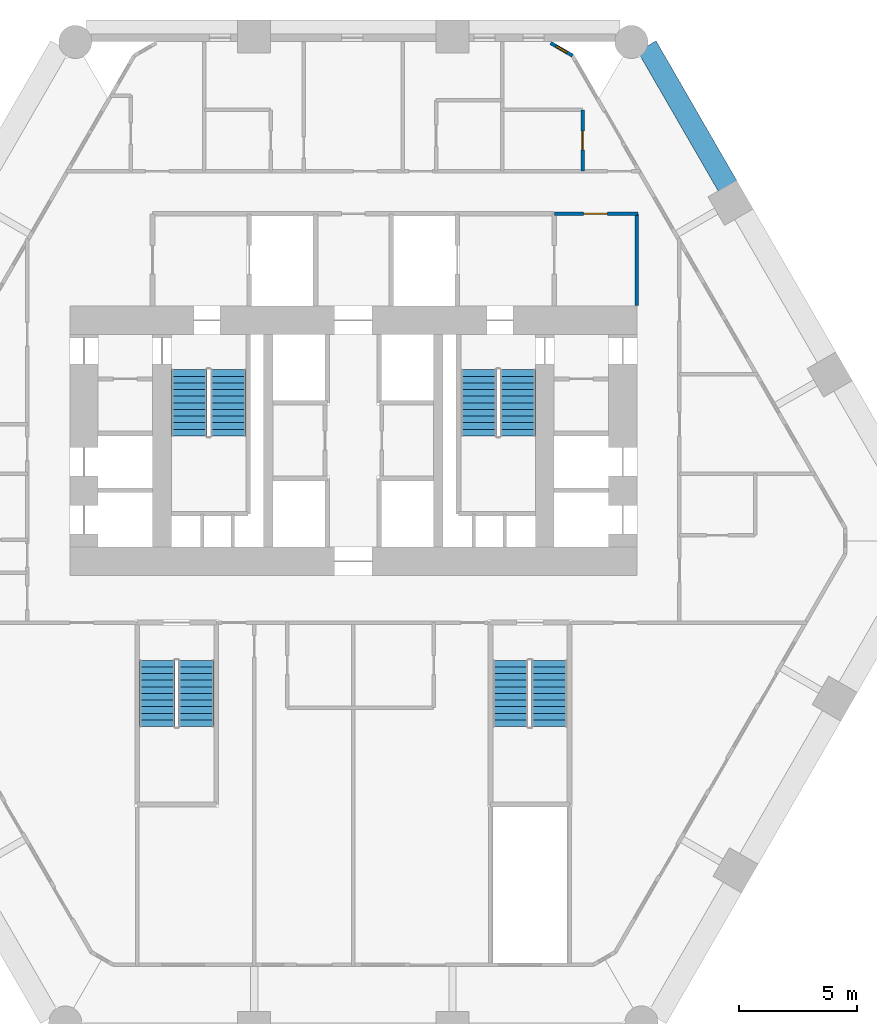
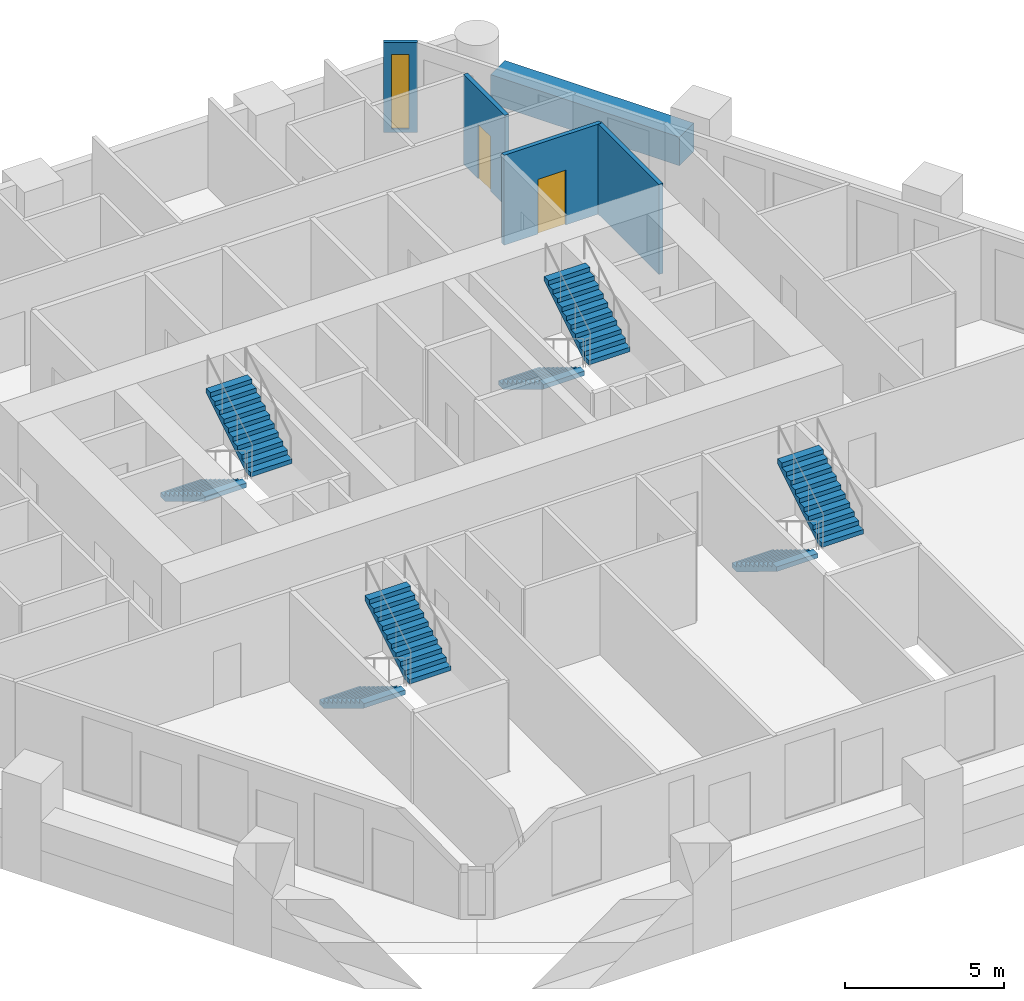
# One storey, part 7 of 8: 8 stair flights, 5 walls, 2 doors, 1 window, 3 openings, 4 elements without a shape of their own.
"""IFC4 building model written with IfcOpenShell, lengths in metres."""

import ifcopenshell
import ifcopenshell.guid

model = None  # the IFC model being written
_history = None  # IfcOwnerHistory: only IFC2X3 demands one
_inside = {}  # id of a spatial element -> (the spatial element, [elements in it])
_under = {}  # id of a project, library or spatial element -> (it, [spatial elements below it])
_declared = {}  # id of a project -> (the project, [libraries it declares])
_typed = {}  # id of a type object -> (the type object, [elements of that type])
_made_of = {}  # id of a material, layer set ... -> (it, [elements and type objects made of it])


def new_model(schema):
    """Start an empty IFC model of exactly this schema.

    Asked for "IFC4X3", IfcOpenShell would pick the latest addendum, in which some entities
    have other attributes; the version numbers below select the first issue.
    IFC2X3 requires an IfcOwnerHistory on every rooted entity: one is made here for all.
    """
    global model, _history
    if schema == "IFC4X3":
        model = ifcopenshell.file(schema_version=(4, 3, 0, 0))
    else:
        model = ifcopenshell.file(schema=schema)
    _inside.clear()
    _under.clear()
    _declared.clear()
    _typed.clear()
    _made_of.clear()
    _history = None
    if model.schema == "IFC2X3":
        org = make("IfcOrganization", Name="unknown")
        user = make(
            "IfcPersonAndOrganization",
            ThePerson=make("IfcPerson", FamilyName="unknown"),
            TheOrganization=org,
        )
        app = make(
            "IfcApplication",
            ApplicationDeveloper=org,
            Version="unknown",
            ApplicationFullName="unknown",
            ApplicationIdentifier="unknown",
        )
        _history = make(
            "IfcOwnerHistory",
            OwningUser=user,
            OwningApplication=app,
            ChangeAction="ADDED",
            CreationDate=0,
        )
    return model


def make(cls, **values):
    """One entity of the class cls with the attributes given. An attribute that is None is left unset."""
    return model.create_entity(
        cls, **{name: value for name, value in values.items() if value is not None}
    )


def rooted(cls, **values):
    """An entity with a GlobalId (a new one), such as an element, a storey or a relation."""
    return make(cls, GlobalId=ifcopenshell.guid.new(), OwnerHistory=_history, **values)


def si_unit(unit_type, name, prefix=None):
    """IfcSIUnit, for example si_unit("LENGTHUNIT", "METRE", prefix="MILLI")."""
    return make("IfcSIUnit", UnitType=unit_type, Prefix=prefix, Name=name)


def assignment(units):
    """IfcUnitAssignment: the units of a project."""
    return None if units is None else make("IfcUnitAssignment", Units=units)


def point(xyz):
    """IfcCartesianPoint."""
    return None if xyz is None else make("IfcCartesianPoint", Coordinates=xyz)


def direction(xyz):
    """IfcDirection."""
    return None if xyz is None else make("IfcDirection", DirectionRatios=xyz)


def frame(location, z_axis=None, x_axis=None):
    """IfcAxis2Placement3D, a coordinate frame: its origin and axes. An axis left out is left unset."""
    return make(
        "IfcAxis2Placement3D",
        Location=point(location),
        Axis=direction(z_axis),
        RefDirection=direction(x_axis),
    )


def frame_2d(location, x_axis=None):
    """IfcAxis2Placement2D, a coordinate frame in the plane: its origin and x axis."""
    return make(
        "IfcAxis2Placement2D", Location=point(location), RefDirection=direction(x_axis)
    )


def origin():
    """The frame at (0, 0, 0) with its axes left unset."""
    return frame((0.0, 0.0, 0.0))


def place(relative_to, where):
    """IfcLocalPlacement: puts the frame where relative to a parent placement (None: the world)."""
    return make(
        "IfcLocalPlacement", PlacementRelTo=relative_to, RelativePlacement=where
    )


def context(
    kind, dimensions, precision=None, world=None, true_north=None, identifier=None
):
    """IfcGeometricRepresentationContext, for example the 3D "Model" context."""
    return make(
        "IfcGeometricRepresentationContext",
        ContextIdentifier=identifier,
        ContextType=kind,
        CoordinateSpaceDimension=dimensions,
        Precision=precision,
        WorldCoordinateSystem=world,
        TrueNorth=true_north,
    )


def subcontext(parent, identifier, kind, view, scale=None):
    """IfcGeometricRepresentationSubContext, for example "Body" below "Model"."""
    return make(
        "IfcGeometricRepresentationSubContext",
        ContextIdentifier=identifier,
        ContextType=kind,
        ParentContext=parent,
        TargetScale=scale,
        TargetView=view,
    )


def project(units=None, contexts=None):
    """IfcProject with its units and contexts."""
    return rooted(
        "IfcProject",
        Name="project",
        RepresentationContexts=contexts,
        UnitsInContext=assignment(units),
    )


def spatial(cls, under=None, at=None, **own):
    """A site, building, storey or space (cls), placed at a placement, below another one or the project."""
    s = rooted(cls, ObjectPlacement=at, **own)
    if under is not None:
        _under.setdefault(under.id(), (under, []))[1].append(s)
    return s


def polyline(points):
    """IfcPolyline through the points."""
    return make("IfcPolyline", Points=[point(p) for p in points])


def profile(cls, at=None, kind="AREA", **sizes):
    """A parametric profile (cls). Its sizes go by their IFC names, for example OverallWidth=200.0."""
    return make(cls, ProfileType=kind, Position=at, **sizes)


def rectangle(**sizes):
    """IfcRectangleProfileDef."""
    return profile("IfcRectangleProfileDef", **sizes)


def outline(outer, holes=None, kind="AREA"):
    """IfcArbitraryClosedProfileDef: a profile drawn as a closed curve; with holes, ...WithVoids."""
    if holes is None:
        return make("IfcArbitraryClosedProfileDef", ProfileType=kind, OuterCurve=outer)
    return make(
        "IfcArbitraryProfileDefWithVoids",
        ProfileType=kind,
        OuterCurve=outer,
        InnerCurves=holes,
    )


def extrude(swept, where, along, depth):
    """IfcExtrudedAreaSolid: the profile swept, set in the frame where, extruded along a direction by depth."""
    return make(
        "IfcExtrudedAreaSolid",
        SweptArea=swept,
        Position=where,
        ExtrudedDirection=direction(along),
        Depth=depth,
    )


def shape(context_of_items, identifier, shape_type, items):
    """IfcShapeRepresentation: the items that make up one representation, for example the "Body"."""
    return make(
        "IfcShapeRepresentation",
        ContextOfItems=context_of_items,
        RepresentationIdentifier=identifier,
        RepresentationType=shape_type,
        Items=items,
    )


def material(Name=None, Category=None):
    """IfcMaterial."""
    return make("IfcMaterial", Name=Name, Category=Category)


def layer(
    of_material, thickness, ventilated=None, Name=None, Category=None, Priority=None
):
    """IfcMaterialLayer: one layer of a wall or slab, of a material (None: an air gap)."""
    return make(
        "IfcMaterialLayer",
        Material=of_material,
        LayerThickness=thickness,
        IsVentilated=ventilated,
        Name=Name,
        Category=Category,
        Priority=Priority,
    )


def layer_set(layers, Name=None):
    """IfcMaterialLayerSet."""
    return make("IfcMaterialLayerSet", MaterialLayers=layers, LayerSetName=Name)


def made_of(thing, what):
    """Note that an element or type object is made of a material, layer set ...; save() writes the relation."""
    if what is not None:
        _made_of.setdefault(what.id(), (what, []))[1].append(thing)
    return thing


def type_object(cls, material=None, **own):
    """A type object (cls), such as IfcWallType, which elements share."""
    return made_of(rooted(cls, **own), material)


def element(
    cls,
    number,
    at=None,
    inside=None,
    cuts=None,
    type_object=None,
    material=None,
    context=None,
    identifier="Body",
    shape_type=None,
    held_by="IfcProductDefinitionShape",
    body=None,
    shapes=None,
    **own,
):
    """One element of the class cls, such as IfcWall. Its Tag is "e" and its number.

    at: its placement. inside: the storey or other place that contains it. cuts: it is an
    opening in that element (IfcRelVoidsElement). A single representation is given by context,
    identifier, shape_type and body (its items); several are given by shapes. held_by: the class
    of the entity that holds the representations. save() writes the other relations.
    """
    e = rooted(cls, Tag="e%d" % number, ObjectPlacement=at, **own)
    if body is not None:
        shapes = [shape(context, identifier, shape_type, body)]
    if shapes is not None:
        e.Representation = make(held_by, Representations=shapes)
    if inside is not None:
        _inside.setdefault(inside.id(), (inside, []))[1].append(e)
    if cuts is not None:
        rooted(
            "IfcRelVoidsElement", RelatingBuildingElement=cuts, RelatedOpeningElement=e
        )
    if type_object is not None:
        _typed.setdefault(type_object.id(), (type_object, []))[1].append(e)
    return made_of(e, material)


def fill(opening, filler):
    """IfcRelFillsElement: the door or window that sits in an opening."""
    return rooted(
        "IfcRelFillsElement",
        RelatingOpeningElement=opening,
        RelatedBuildingElement=filler,
    )


def aggregate(whole, parts):
    """IfcRelAggregates: a whole, such as a stair, and the parts it consists of."""
    return rooted("IfcRelAggregates", RelatingObject=whole, RelatedObjects=parts)


def save(model, path):
    """Write the relations noted so far, then the file.

    IfcRelAggregates (storeys below a building ...), IfcRelContainedInSpatialStructure (elements
    in a storey), IfcRelDefinesByType, IfcRelAssociatesMaterial and IfcRelDeclares: one each for
    every whole, place, type object, material and project.
    """
    for whole, parts in _under.values():
        aggregate(whole, parts)
    for where, things in _inside.values():
        rooted(
            "IfcRelContainedInSpatialStructure",
            RelatedElements=things,
            RelatingStructure=where,
        )
    for kind, things in _typed.values():
        rooted("IfcRelDefinesByType", RelatedObjects=things, RelatingType=kind)
    for what, things in _made_of.values():
        rooted("IfcRelAssociatesMaterial", RelatedObjects=things, RelatingMaterial=what)
    for by, libraries in _declared.values():
        rooted("IfcRelDeclares", RelatingContext=by, RelatedDefinitions=libraries)
    model.write(path)


model = new_model("IFC4")

# Units and contexts
model_context = context("Model", 3, precision=1e-05, world=origin(), true_north=direction((0.0, 1.0)))
body_context = subcontext(model_context, "Body", "Model", "MODEL_VIEW")
ifc_project = project(units=[si_unit("LENGTHUNIT", "METRE"), si_unit("AREAUNIT", "SQUARE_METRE"), si_unit("VOLUMEUNIT", "CUBIC_METRE"), si_unit("PLANEANGLEUNIT", "RADIAN"), si_unit("MASSUNIT", "GRAM", prefix="KILO")], contexts=[model_context])

# Site, building, storey
site_placement = place(None, origin())
site = spatial("IfcSite", under=ifc_project, at=site_placement, CompositionType="ELEMENT")
building_placement = place(site_placement, origin())
building = spatial("IfcBuilding", under=site, at=building_placement, Name="Ostrander Bayou Hotel Tower", CompositionType="ELEMENT")
storey_placement = place(building_placement, frame((0.0, 0.0, 43.0)))
storey = spatial("IfcBuildingStorey", under=building, at=storey_placement, Name="L10", CompositionType="ELEMENT", Elevation=43.0)

# Wall, opening, window
ifc_material_1 = material(Name="Aluminium framed insulated wall", Category="aluminium")
ifc_layer_1 = layer(ifc_material_1, 0.14990234375)
ifc_layer_set_1 = layer_set([ifc_layer_1], Name="GW1 glass-line wall 150 mm")
wall_type_1 = type_object("IfcWallType", Name="GW1 glass-line wall 150 mm", PredefinedType="SOLIDWALL", material=ifc_layer_set_1)
wall_1_placement = place(storey_placement, frame((9.27587890625, 20.29248046875, 0.0), z_axis=(0.0, 0.0, 1.0), x_axis=(-0.865990848561, 0.500059846627, 0.0)))
wall_1 = element("IfcWall", 1, at=wall_1_placement, inside=storey, type_object=wall_type_1, Name="GW1 L10 corner 6", PredefinedType="SOLIDWALL", context=body_context, shape_type="SweptSolid", body=[
    extrude(rectangle(XDim=1.064697265625, YDim=0.14990234375, at=frame_2d((0.5322265625, 0.0))), origin(), (0.0, 0.0, 1.0), 3.449951171875),
])
opening_1_placement = place(wall_1_placement, frame((0.257568359375, 0.0, 0.14990234375)))
opening_1 = element("IfcOpeningElement", 2, at=opening_1_placement, cuts=wall_1, Name="Opening W19", PredefinedType="OPENING", context=body_context, shape_type="SweptSolid", body=[
    extrude(rectangle(XDim=0.550048828125, YDim=2.85009765625, at=frame_2d((0.27490234375, 1.425048828125))), frame((0.0, 0.074951171875, 0.0), z_axis=(0.0, -1.0, 0.0), x_axis=(1.0, 0.0, 0.0)), (0.0, 0.0, 1.0), 0.14990234375),
])
ifc_material_2 = material(Name="Aluminium and clear glass", Category="aluminium")
window_type = type_object("IfcWindowType", Name="W19 corner window 550 mm", PartitioningType="SINGLE_PANEL", PredefinedType="WINDOW", material=ifc_material_2)
window_placement = place(opening_1_placement, origin())
window = element("IfcWindow", 3, at=window_placement, inside=storey, type_object=window_type, Name="W19 L10 corner 6", OverallHeight=2.85009765625, OverallWidth=0.550048828125, PartitioningType="SINGLE_PANEL", PredefinedType="WINDOW", context=body_context, shape_type="SweptSolid", body=[
    extrude(rectangle(XDim=0.550048828125, YDim=2.85009765625, at=frame_2d((0.27490234375, 1.425048828125))), frame((0.0, 0.030029296875, 0.0), z_axis=(0.0, -1.0, 0.0), x_axis=(1.0, 0.0, 0.0)), (0.0, 0.0, 1.0), 0.06005859375),
])
fill(opening_1, window)

# Wall
ifc_material_3 = material(Name="Concrete f'c 40 MPa", Category="concrete")
ifc_layer_2 = layer(ifc_material_3, 0.89990234375)
ifc_layer_set_2 = layer_set([ifc_layer_2], Name="PA1 stone-faced parapet 900 mm")
wall_type_2 = type_object("IfcWallType", Name="PA1 stone-faced parapet 900 mm", PredefinedType="PARAPET", material=ifc_layer_set_2)
wall_2_placement = place(storey_placement, frame((15.84423828125, 14.765869140625, 0.0), z_axis=(0.0, 0.0, 1.0), x_axis=(-0.499994135611, 0.866028789565, 0.0)))
element("IfcWall", 4, at=wall_2_placement, inside=storey, type_object=wall_type_2, Name="PA1 L10 NE-3", PredefinedType="PARAPET", context=body_context, shape_type="SweptSolid", body=[
    extrude(rectangle(XDim=6.84521484375, YDim=0.89990234375, at=frame_2d((3.422607421875, 0.0))), origin(), (0.0, 0.0, 1.0), 1.10009765625),
])

# Wall, opening, door
ifc_material_4 = material(Name="Gypsum board partition", Category="finish")
ifc_layer_3 = layer(ifc_material_4, 0.14990234375)
ifc_layer_set_3 = layer_set([ifc_layer_3], Name="PT8 service band wall 150 mm, 1 hour")
wall_type_3 = type_object("IfcWallType", Name="PT8 service band wall 150 mm, 1 hour", PredefinedType="PARTITIONING", material=ifc_layer_set_3)
wall_3_placement = place(storey_placement, frame((8.510009765625, 13.60009765625, 0.0), z_axis=(0.0, 0.0, 1.0), x_axis=(1.0, 0.0, 0.0)))
wall_3 = element("IfcWall", 5, at=wall_3_placement, inside=storey, type_object=wall_type_3, Name="gw:L10:012", PredefinedType="PARTITIONING", context=body_context, shape_type="SweptSolid", body=[
    extrude(rectangle(XDim=3.530029296875, YDim=0.14990234375, at=frame_2d((1.76513671875, 0.0))), origin(), (0.0, 0.0, 1.0), 3.449951171875),
])
opening_2_placement = place(wall_3_placement, frame((1.239990234375, 0.0, 0.0)))
opening_2 = element("IfcOpeningElement", 6, at=opening_2_placement, cuts=wall_3, Name="Opening T09-425", PredefinedType="OPENING", context=body_context, shape_type="SweptSolid", body=[
    extrude(rectangle(XDim=1.0, YDim=2.10009765625, at=frame_2d((0.5, 1.050048828125))), frame((0.0, 0.074951171875, 0.0), z_axis=(0.0, -1.0, 0.0), x_axis=(1.0, 0.0, 0.0)), (0.0, 0.0, 1.0), 0.14990234375),
])
ifc_material_5 = material(Name="Timber door leaf", Category="wood")
door_type_1 = type_object("IfcDoorType", Name="D9 service door 1000 x 2100 mm, 30 minute", OperationType="SINGLE_SWING_LEFT", PredefinedType="DOOR", material=ifc_material_5)
door_1_placement = place(opening_2_placement, origin())
door_1 = element("IfcDoor", 7, at=door_1_placement, inside=storey, type_object=door_type_1, Name="dr:L10:425", OperationType="SINGLE_SWING_LEFT", OverallHeight=2.10009765625, OverallWidth=1.0, PredefinedType="DOOR", context=body_context, shape_type="SweptSolid", body=[
    extrude(rectangle(XDim=1.0, YDim=2.10009765625, at=frame_2d((0.5, 1.050048828125))), frame((0.0, 0.02490234375, 0.0), z_axis=(0.0, -1.0, 0.0), x_axis=(1.0, 0.0, 0.0)), (0.0, 0.0, 1.0), 0.050048828125),
])
fill(opening_2, door_1)

# Wall
wall_4_placement = place(storey_placement, frame((12.0, 9.7099609375, 0.0), z_axis=(0.0, 0.0, 1.0), x_axis=(0.0, 1.0, 0.0)))
element("IfcWall", 8, at=wall_4_placement, inside=storey, type_object=wall_type_3, Name="gw:L10:020", PredefinedType="PARTITIONING", context=body_context, shape_type="SweptSolid", body=[
    extrude(rectangle(XDim=3.89013671875, YDim=0.14990234375, at=frame_2d((1.945068359375, 0.0))), origin(), (0.0, 0.0, 1.0), 3.449951171875),
])

# Wall, opening, door
wall_5_placement = place(storey_placement, frame((9.699951171875, 15.39990234375, 0.0), z_axis=(0.0, 0.0, 1.0), x_axis=(0.0, 1.0, 0.0)))
wall_5 = element("IfcWall", 9, at=wall_5_placement, inside=storey, type_object=wall_type_3, Name="gw:L10:021", PredefinedType="PARTITIONING", context=body_context, shape_type="SweptSolid", body=[
    extrude(rectangle(XDim=2.60009765625, YDim=0.14990234375, at=frame_2d((1.300048828125, 0.0))), origin(), (0.0, 0.0, 1.0), 3.449951171875),
])
opening_3_placement = place(wall_5_placement, frame((0.89990234375, 0.0, 0.0)))
opening_3 = element("IfcOpeningElement", 10, at=opening_3_placement, cuts=wall_5, Name="Opening T09-424", PredefinedType="OPENING", context=body_context, shape_type="SweptSolid", body=[
    extrude(rectangle(XDim=0.800048828125, YDim=2.10009765625, at=frame_2d((0.39990234375, 1.050048828125))), frame((0.0, 0.074951171875, 0.0), z_axis=(0.0, -1.0, 0.0), x_axis=(1.0, 0.0, 0.0)), (0.0, 0.0, 1.0), 0.14990234375),
])
ifc_material_6 = material(Name="Timber door leaf", Category="wood")
door_type_2 = type_object("IfcDoorType", Name="D2 bathroom door 800 x 2100 mm", OperationType="SINGLE_SWING_LEFT", PredefinedType="DOOR", material=ifc_material_6)
door_2_placement = place(opening_3_placement, origin())
door_2 = element("IfcDoor", 11, at=door_2_placement, inside=storey, type_object=door_type_2, Name="dr:L10:424", OperationType="SINGLE_SWING_LEFT", OverallHeight=2.10009765625, OverallWidth=0.800048828125, PredefinedType="DOOR", context=body_context, shape_type="SweptSolid", body=[
    extrude(rectangle(XDim=0.800048828125, YDim=2.10009765625, at=frame_2d((0.39990234375, 1.050048828125))), frame((0.0, 0.02490234375, 0.0), z_axis=(0.0, -1.0, 0.0), x_axis=(1.0, 0.0, 0.0)), (0.0, 0.0, 1.0), 0.050048828125),
])
fill(opening_3, door_2)

# Stair, stair flights
ifc_material_7 = material(Name="Concrete f'c 45 MPa", Category="concrete")
stair_type = type_object("IfcStairType", Name="ST1 exit stair 1500 mm f'c 45 MPa", PredefinedType="HALF_TURN_STAIR", material=ifc_material_7)
stair_1_placement = place(storey_placement, origin())
stair_1 = element("IfcStair", 12, at=stair_1_placement, inside=storey, type_object=stair_type, Name="L10 exit stair A", PredefinedType="HALF_TURN_STAIR")
ifc_material_8 = material(Name="Concrete f'c 45 MPa", Category="concrete")
stair_flight_type = type_object("IfcStairFlightType", Name="SF1 stair flight 1500 mm f'c 45 MPa", PredefinedType="STRAIGHT", material=ifc_material_8)
stair_flight_1_placement = place(storey_placement, frame((-6.949951171875, 7.0, 0.0), z_axis=(0.0, 0.0, 1.0), x_axis=(0.0, -1.0, 0.0)))
stair_flight_1 = element("IfcStairFlight", 13, at=stair_flight_1_placement, type_object=stair_flight_type, Name="STA flight 1", NumberOfRisers=11, NumberOfTreads=10, PredefinedType="STRAIGHT", RiserHeight=0.170454545, TreadLength=0.28, context=body_context, shape_type="SweptSolid", body=[
    extrude(outline(polyline([(0.0, 0.0), (0.0, 0.17041015625), (0.280029296875, 0.17041015625), (0.280029296875, 0.3408203125), (0.56005859375, 0.3408203125), (0.56005859375, 0.511474609375), (0.840087890625, 0.511474609375), (0.840087890625, 0.681884765625), (1.1201171875, 0.681884765625), (1.1201171875, 0.852294921875), (1.39990234375, 0.852294921875), (1.39990234375, 1.022705078125), (1.679931640625, 1.022705078125), (1.679931640625, 1.193115234375), (1.9599609375, 1.193115234375), (1.9599609375, 1.363525390625), (2.239990234375, 1.363525390625), (2.239990234375, 1.5341796875), (2.52001953125, 1.5341796875), (2.52001953125, 1.70458984375), (2.800048828125, 1.70458984375), (2.800048828125, 1.875), (2.800048828125, 1.529052734375), (0.288330078125, 0.0), (0.0, 0.0)])), frame((0.0, 0.75, 0.0), z_axis=(0.0, -1.0, 0.0), x_axis=(1.0, 0.0, 0.0)), (0.0, 0.0, 1.0), 1.5),
])
stair_flight_2_placement = place(storey_placement, frame((-5.300048828125, 4.199951171875, 1.875), z_axis=(0.0, 0.0, 1.0), x_axis=(0.0, 1.0, 0.0)))
stair_flight_2 = element("IfcStairFlight", 14, at=stair_flight_2_placement, type_object=stair_flight_type, Name="STA flight 2", NumberOfRisers=11, NumberOfTreads=10, PredefinedType="STRAIGHT", RiserHeight=0.170454545, TreadLength=0.28, context=body_context, shape_type="SweptSolid", body=[
    extrude(outline(polyline([(0.0, 0.0), (0.0, 0.17041015625), (0.280029296875, 0.17041015625), (0.280029296875, 0.3408203125), (0.56005859375, 0.3408203125), (0.56005859375, 0.511474609375), (0.840087890625, 0.511474609375), (0.840087890625, 0.681884765625), (1.1201171875, 0.681884765625), (1.1201171875, 0.852294921875), (1.39990234375, 0.852294921875), (1.39990234375, 1.022705078125), (1.679931640625, 1.022705078125), (1.679931640625, 1.193115234375), (1.9599609375, 1.193115234375), (1.9599609375, 1.363525390625), (2.239990234375, 1.363525390625), (2.239990234375, 1.5341796875), (2.52001953125, 1.5341796875), (2.52001953125, 1.70458984375), (2.800048828125, 1.70458984375), (2.800048828125, 1.875), (2.800048828125, 1.529052734375), (0.288330078125, 0.0), (0.0, 0.0)])), frame((0.0, 0.75, 0.0), z_axis=(0.0, -1.0, 0.0), x_axis=(1.0, 0.0, 0.0)), (0.0, 0.0, 1.0), 1.5),
])
aggregate(stair_1, [stair_flight_1, stair_flight_2])

stair_2_placement = place(storey_placement, origin())
stair_2 = element("IfcStair", 15, at=stair_2_placement, inside=storey, type_object=stair_type, Name="L10 exit stair B", PredefinedType="HALF_TURN_STAIR")
stair_flight_3_placement = place(storey_placement, frame((5.300048828125, 7.0, 0.0), z_axis=(0.0, 0.0, 1.0), x_axis=(0.0, -1.0, 0.0)))
stair_flight_3 = element("IfcStairFlight", 16, at=stair_flight_3_placement, type_object=stair_flight_type, Name="STB flight 1", NumberOfRisers=11, NumberOfTreads=10, PredefinedType="STRAIGHT", RiserHeight=0.170454545, TreadLength=0.28, context=body_context, shape_type="SweptSolid", body=[
    extrude(outline(polyline([(0.0, 0.0), (0.0, 0.17041015625), (0.280029296875, 0.17041015625), (0.280029296875, 0.3408203125), (0.56005859375, 0.3408203125), (0.56005859375, 0.511474609375), (0.840087890625, 0.511474609375), (0.840087890625, 0.681884765625), (1.1201171875, 0.681884765625), (1.1201171875, 0.852294921875), (1.39990234375, 0.852294921875), (1.39990234375, 1.022705078125), (1.679931640625, 1.022705078125), (1.679931640625, 1.193115234375), (1.9599609375, 1.193115234375), (1.9599609375, 1.363525390625), (2.239990234375, 1.363525390625), (2.239990234375, 1.5341796875), (2.52001953125, 1.5341796875), (2.52001953125, 1.70458984375), (2.800048828125, 1.70458984375), (2.800048828125, 1.875), (2.800048828125, 1.529052734375), (0.288330078125, 0.0), (0.0, 0.0)])), frame((0.0, 0.75, 0.0), z_axis=(0.0, -1.0, 0.0), x_axis=(1.0, 0.0, 0.0)), (0.0, 0.0, 1.0), 1.5),
])
stair_flight_4_placement = place(storey_placement, frame((6.949951171875, 4.199951171875, 1.875), z_axis=(0.0, 0.0, 1.0), x_axis=(0.0, 1.0, 0.0)))
stair_flight_4 = element("IfcStairFlight", 17, at=stair_flight_4_placement, type_object=stair_flight_type, Name="STB flight 2", NumberOfRisers=11, NumberOfTreads=10, PredefinedType="STRAIGHT", RiserHeight=0.170454545, TreadLength=0.28, context=body_context, shape_type="SweptSolid", body=[
    extrude(outline(polyline([(0.0, 0.0), (0.0, 0.17041015625), (0.280029296875, 0.17041015625), (0.280029296875, 0.3408203125), (0.56005859375, 0.3408203125), (0.56005859375, 0.511474609375), (0.840087890625, 0.511474609375), (0.840087890625, 0.681884765625), (1.1201171875, 0.681884765625), (1.1201171875, 0.852294921875), (1.39990234375, 0.852294921875), (1.39990234375, 1.022705078125), (1.679931640625, 1.022705078125), (1.679931640625, 1.193115234375), (1.9599609375, 1.193115234375), (1.9599609375, 1.363525390625), (2.239990234375, 1.363525390625), (2.239990234375, 1.5341796875), (2.52001953125, 1.5341796875), (2.52001953125, 1.70458984375), (2.800048828125, 1.70458984375), (2.800048828125, 1.875), (2.800048828125, 1.529052734375), (0.288330078125, 0.0), (0.0, 0.0)])), frame((0.0, 0.75, 0.0), z_axis=(0.0, -1.0, 0.0), x_axis=(1.0, 0.0, 0.0)), (0.0, 0.0, 1.0), 1.5),
])
aggregate(stair_2, [stair_flight_3, stair_flight_4])

stair_3_placement = place(storey_placement, origin())
stair_3 = element("IfcStair", 18, at=stair_3_placement, inside=storey, type_object=stair_type, Name="L10 exit stair C", PredefinedType="HALF_TURN_STAIR")
stair_flight_5_placement = place(storey_placement, frame((6.64990234375, -5.300048828125, 0.0), z_axis=(0.0, 0.0, 1.0), x_axis=(0.0, -1.0, 0.0)))
stair_flight_5 = element("IfcStairFlight", 19, at=stair_flight_5_placement, type_object=stair_flight_type, Name="STC flight 1", NumberOfRisers=11, NumberOfTreads=10, PredefinedType="STRAIGHT", RiserHeight=0.170454545, TreadLength=0.28, context=body_context, shape_type="SweptSolid", body=[
    extrude(outline(polyline([(0.0, 0.0), (0.0, 0.17041015625), (0.280029296875, 0.17041015625), (0.280029296875, 0.3408203125), (0.56005859375, 0.3408203125), (0.56005859375, 0.511474609375), (0.840087890625, 0.511474609375), (0.840087890625, 0.681884765625), (1.1201171875, 0.681884765625), (1.1201171875, 0.852294921875), (1.39990234375, 0.852294921875), (1.39990234375, 1.022705078125), (1.679931640625, 1.022705078125), (1.679931640625, 1.193115234375), (1.9599609375, 1.193115234375), (1.9599609375, 1.363525390625), (2.239990234375, 1.363525390625), (2.239990234375, 1.5341796875), (2.52001953125, 1.5341796875), (2.52001953125, 1.70458984375), (2.800048828125, 1.70458984375), (2.800048828125, 1.875), (2.800048828125, 1.529052734375), (0.288330078125, 0.0), (0.0, 0.0)])), frame((0.0, 0.75, 0.0), z_axis=(0.0, -1.0, 0.0), x_axis=(1.0, 0.0, 0.0)), (0.0, 0.0, 1.0), 1.5),
])
stair_flight_6_placement = place(storey_placement, frame((8.300048828125, -8.10009765625, 1.875), z_axis=(0.0, 0.0, 1.0), x_axis=(0.0, 1.0, 0.0)))
stair_flight_6 = element("IfcStairFlight", 20, at=stair_flight_6_placement, type_object=stair_flight_type, Name="STC flight 2", NumberOfRisers=11, NumberOfTreads=10, PredefinedType="STRAIGHT", RiserHeight=0.170454545, TreadLength=0.28, context=body_context, shape_type="SweptSolid", body=[
    extrude(outline(polyline([(0.0, 0.0), (0.0, 0.17041015625), (0.280029296875, 0.17041015625), (0.280029296875, 0.3408203125), (0.56005859375, 0.3408203125), (0.56005859375, 0.511474609375), (0.840087890625, 0.511474609375), (0.840087890625, 0.681884765625), (1.1201171875, 0.681884765625), (1.1201171875, 0.852294921875), (1.39990234375, 0.852294921875), (1.39990234375, 1.022705078125), (1.679931640625, 1.022705078125), (1.679931640625, 1.193115234375), (1.9599609375, 1.193115234375), (1.9599609375, 1.363525390625), (2.239990234375, 1.363525390625), (2.239990234375, 1.5341796875), (2.52001953125, 1.5341796875), (2.52001953125, 1.70458984375), (2.800048828125, 1.70458984375), (2.800048828125, 1.875), (2.800048828125, 1.529052734375), (0.288330078125, 0.0), (0.0, 0.0)])), frame((0.0, 0.75, 0.0), z_axis=(0.0, -1.0, 0.0), x_axis=(1.0, 0.0, 0.0)), (0.0, 0.0, 1.0), 1.5),
])
aggregate(stair_3, [stair_flight_5, stair_flight_6])

stair_4_placement = place(storey_placement, origin())
stair_4 = element("IfcStair", 21, at=stair_4_placement, inside=storey, type_object=stair_type, Name="L10 exit stair D", PredefinedType="HALF_TURN_STAIR")
stair_flight_7_placement = place(storey_placement, frame((-8.300048828125, -5.300048828125, 0.0), z_axis=(0.0, 0.0, 1.0), x_axis=(0.0, -1.0, 0.0)))
stair_flight_7 = element("IfcStairFlight", 22, at=stair_flight_7_placement, type_object=stair_flight_type, Name="STD flight 1", NumberOfRisers=11, NumberOfTreads=10, PredefinedType="STRAIGHT", RiserHeight=0.170454545, TreadLength=0.28, context=body_context, shape_type="SweptSolid", body=[
    extrude(outline(polyline([(0.0, 0.0), (0.0, 0.17041015625), (0.280029296875, 0.17041015625), (0.280029296875, 0.3408203125), (0.56005859375, 0.3408203125), (0.56005859375, 0.511474609375), (0.840087890625, 0.511474609375), (0.840087890625, 0.681884765625), (1.1201171875, 0.681884765625), (1.1201171875, 0.852294921875), (1.39990234375, 0.852294921875), (1.39990234375, 1.022705078125), (1.679931640625, 1.022705078125), (1.679931640625, 1.193115234375), (1.9599609375, 1.193115234375), (1.9599609375, 1.363525390625), (2.239990234375, 1.363525390625), (2.239990234375, 1.5341796875), (2.52001953125, 1.5341796875), (2.52001953125, 1.70458984375), (2.800048828125, 1.70458984375), (2.800048828125, 1.875), (2.800048828125, 1.529052734375), (0.288330078125, 0.0), (0.0, 0.0)])), frame((0.0, 0.75, 0.0), z_axis=(0.0, -1.0, 0.0), x_axis=(1.0, 0.0, 0.0)), (0.0, 0.0, 1.0), 1.5),
])
stair_flight_8_placement = place(storey_placement, frame((-6.64990234375, -8.10009765625, 1.875), z_axis=(0.0, 0.0, 1.0), x_axis=(0.0, 1.0, 0.0)))
stair_flight_8 = element("IfcStairFlight", 23, at=stair_flight_8_placement, type_object=stair_flight_type, Name="STD flight 2", NumberOfRisers=11, NumberOfTreads=10, PredefinedType="STRAIGHT", RiserHeight=0.170454545, TreadLength=0.28, context=body_context, shape_type="SweptSolid", body=[
    extrude(outline(polyline([(0.0, 0.0), (0.0, 0.17041015625), (0.280029296875, 0.17041015625), (0.280029296875, 0.3408203125), (0.56005859375, 0.3408203125), (0.56005859375, 0.511474609375), (0.840087890625, 0.511474609375), (0.840087890625, 0.681884765625), (1.1201171875, 0.681884765625), (1.1201171875, 0.852294921875), (1.39990234375, 0.852294921875), (1.39990234375, 1.022705078125), (1.679931640625, 1.022705078125), (1.679931640625, 1.193115234375), (1.9599609375, 1.193115234375), (1.9599609375, 1.363525390625), (2.239990234375, 1.363525390625), (2.239990234375, 1.5341796875), (2.52001953125, 1.5341796875), (2.52001953125, 1.70458984375), (2.800048828125, 1.70458984375), (2.800048828125, 1.875), (2.800048828125, 1.529052734375), (0.288330078125, 0.0), (0.0, 0.0)])), frame((0.0, 0.75, 0.0), z_axis=(0.0, -1.0, 0.0), x_axis=(1.0, 0.0, 0.0)), (0.0, 0.0, 1.0), 1.5),
])
aggregate(stair_4, [stair_flight_7, stair_flight_8])

save(model, "model.ifc")
